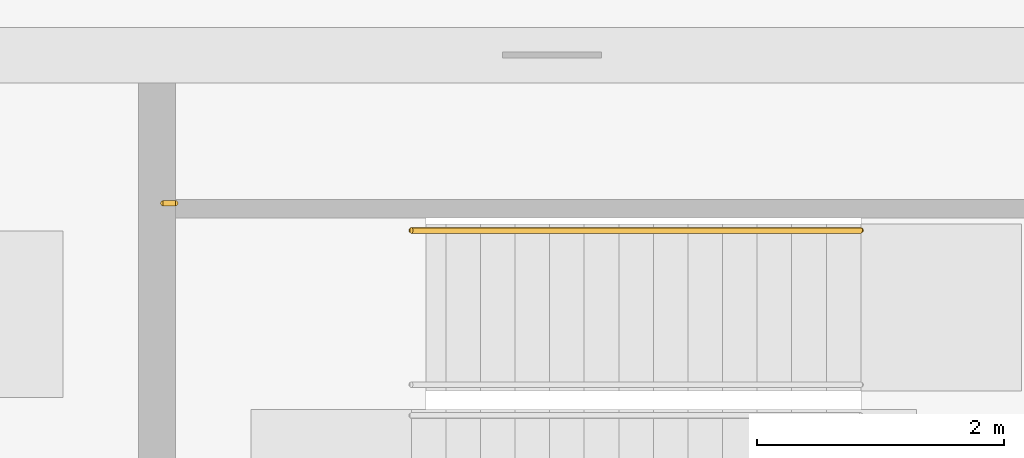
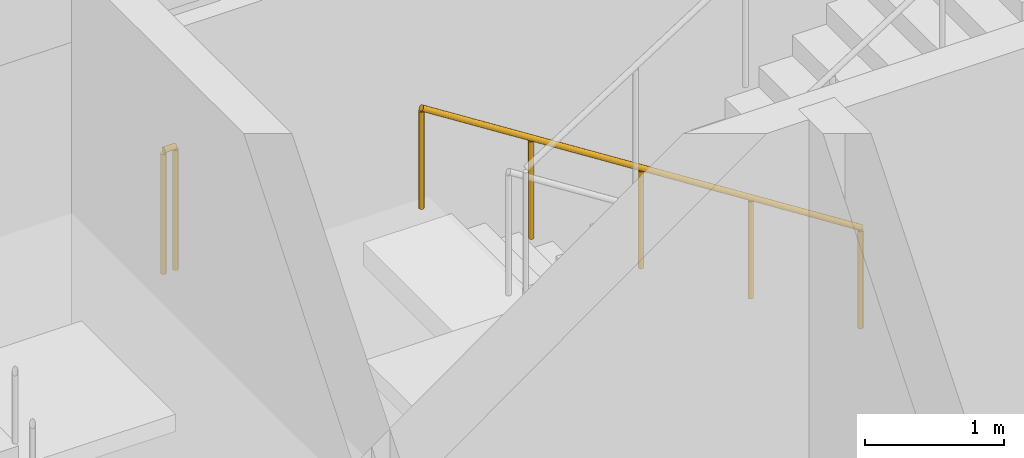
# One storey, part 8 of 9: 2 railings.
"""IFC4 building model written with IfcOpenShell, lengths in metres."""

from ifc_helpers import new_model, si_unit, direction, frame, origin, origin_2d, place, context, subcontext, project, spatial, circle, extrude, material, type_object, element, save


model = new_model("IFC4")

# Units and contexts
model_context = context("Model", 3, precision=1e-05, world=origin(), true_north=direction((0.0, 1.0)))
body_context = subcontext(model_context, "Body", "Model", "MODEL_VIEW")
ifc_project = project(units=[si_unit("LENGTHUNIT", "METRE"), si_unit("AREAUNIT", "SQUARE_METRE"), si_unit("VOLUMEUNIT", "CUBIC_METRE"), si_unit("PLANEANGLEUNIT", "RADIAN"), si_unit("MASSUNIT", "GRAM", prefix="KILO")], contexts=[model_context])

# Site, building, storey
site_placement = place(None, origin())
site = spatial("IfcSite", under=ifc_project, at=site_placement, CompositionType="ELEMENT")
building_placement = place(site_placement, origin())
building = spatial("IfcBuilding", under=site, at=building_placement, Name="Windrow Commons", CompositionType="ELEMENT")
storey_placement = place(building_placement, frame((0.0, 0.0, 234.6)))
storey = spatial("IfcBuildingStorey", under=building, at=storey_placement, Name="L64", CompositionType="ELEMENT", Elevation=234.6)

# Railings
ifc_material_1 = material(Name="Steel S355", Category="steel")
railing_type_1 = type_object("IfcRailingType", Name="Core stair guard 1100", PredefinedType="GUARDRAIL", material=ifc_material_1)
railing_1_placement = place(storey_placement, frame((64.95, 63.825, 2.5)))
element("IfcRailing", 1, at=railing_1_placement, inside=storey, type_object=railing_type_1, Name="L64 ST-A2 stair guard 3", PredefinedType="GUARDRAIL", context=body_context, shape_type="SweptSolid", body=[
    extrude(circle(Radius=0.024, at=origin_2d()), frame((0.0, 0.0, 1.076), z_axis=(-1.0, 0.0, 0.0), x_axis=(0.0, -1.0, 0.0)), (0.0, 0.0, 1.0), 0.1),
    extrude(circle(Radius=0.021, at=origin_2d()), origin(), (0.0, 0.0, 1.0), 1.052),
    extrude(circle(Radius=0.021, at=origin_2d()), frame((-0.1, 0.0, 0.0)), (0.0, 0.0, 1.0), 1.052),
])
ifc_material_2 = material(Name="Steel S355", Category="steel")
railing_type_2 = type_object("IfcRailingType", Name="Core stair handrail 900", PredefinedType="HANDRAIL", material=ifc_material_2)
railing_2_placement = place(storey_placement, frame((70.5, 63.605, 0.1786)))
element("IfcRailing", 2, at=railing_2_placement, inside=storey, type_object=railing_type_2, Name="L64 ST-A2 stair handrail 1", PredefinedType="HANDRAIL", context=body_context, shape_type="SweptSolid", body=[
    extrude(circle(Radius=0.024, at=origin_2d()), frame((0.0, 0.0, 0.876), z_axis=(-0.8431326905, 0.0, 0.5377055571), x_axis=(0.0, -1.0, 0.0)), (0.0, 0.0, 1.0), 4.3172),
    extrude(circle(Radius=0.021, at=origin_2d()), origin(), (0.0, 0.0, 1.0), 0.852),
    extrude(circle(Radius=0.021, at=origin_2d()), frame((-0.91, 0.0, 0.5803)), (0.0, 0.0, 1.0), 0.852),
    extrude(circle(Radius=0.021, at=origin_2d()), frame((-1.82, 0.0, 1.1607)), (0.0, 0.0, 1.0), 0.852),
    extrude(circle(Radius=0.021, at=origin_2d()), frame((-2.73, 0.0, 1.741)), (0.0, 0.0, 1.0), 0.852),
    extrude(circle(Radius=0.021, at=origin_2d()), frame((-3.64, 0.0, 2.3214)), (0.0, 0.0, 1.0), 0.852),
])

save(model, "model.ifc")
